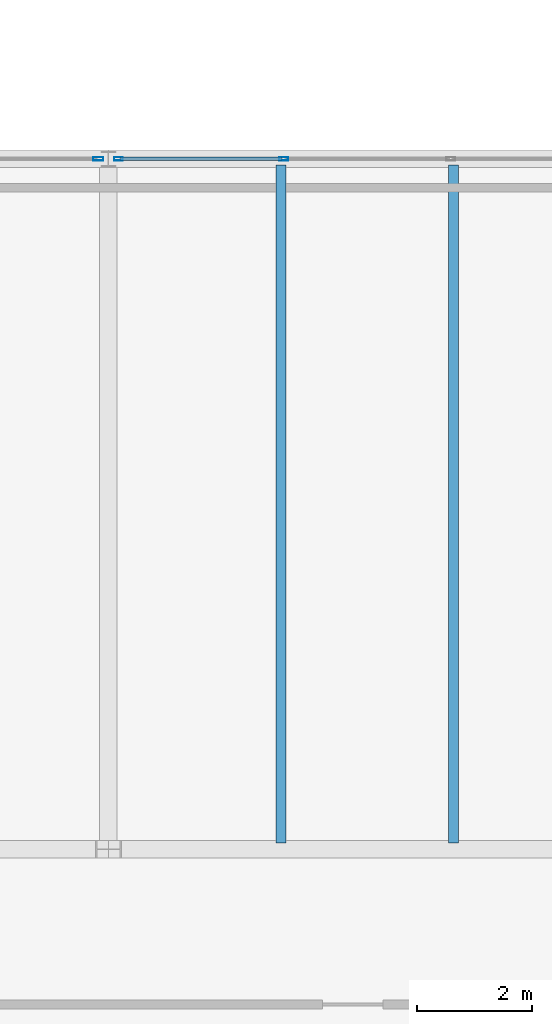
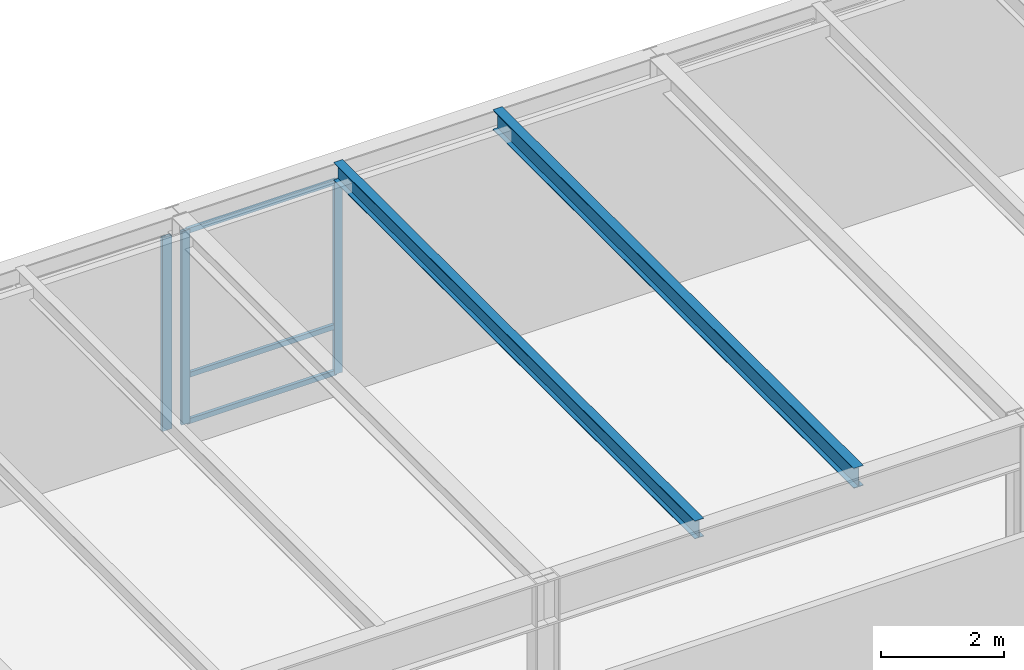
# One storey, part 19 of 142: 6 members, 2 beams, 2 elements without a shape of their own.
"""IFC4 building model written with IfcOpenShell, lengths in metres."""

from ifc_helpers import new_model, si_unit, direction, frame, origin, origin_2d, place, context, subcontext, project, spatial, hollow_rectangle, i_section, extrude, material, layer, layer_set, material_profile, profile_set, type_object, element, aggregate, save


model = new_model("IFC4")

# Units and contexts
model_context = context("Model", 3, precision=1e-05, world=origin(), true_north=direction((0.0, 1.0)))
body_context = subcontext(model_context, "Body", "Model", "MODEL_VIEW")
ifc_project = project(units=[si_unit("LENGTHUNIT", "METRE"), si_unit("AREAUNIT", "SQUARE_METRE"), si_unit("VOLUMEUNIT", "CUBIC_METRE"), si_unit("PLANEANGLEUNIT", "RADIAN"), si_unit("MASSUNIT", "GRAM", prefix="KILO")], contexts=[model_context])

# Site, building, storey
site_placement = place(None, origin())
site = spatial("IfcSite", under=ifc_project, at=site_placement, CompositionType="ELEMENT")
building_placement = place(site_placement, origin())
building = spatial("IfcBuilding", under=site, at=building_placement, Name="Montelvaro Courts of Justice", CompositionType="ELEMENT")
storey_placement = place(building_placement, frame((0.0, 0.0, 14.39990234375)))
storey = spatial("IfcBuildingStorey", under=building, at=storey_placement, Name="L03", CompositionType="ELEMENT", Elevation=14.39990234375)

# Beams
ifc_material_1 = material(Name="Steel S355", Category="steel")
ifc_material_profile_1 = material_profile(ifc_material_1, i_section(OverallWidth=0.169921875, OverallDepth=0.360107421875, WebThickness=0.008056640625, FlangeThickness=0.0126953125, at=origin_2d()), Name="IPE 360")
ifc_profile_set_1 = profile_set([ifc_material_profile_1], Name="Steel S355")
beam_type_1 = type_object("IfcBeamType", Name="Beam_IPE360", PredefinedType="BEAM", material=ifc_profile_set_1)
beam_1_placement = place(storey_placement, frame((30.0, 42.110107421875, 4.1201171875), z_axis=(0.0, 1.0, 0.0), x_axis=(-1.0, 0.0, 0.0)))
element("IfcBeam", 1, at=beam_1_placement, inside=storey, type_object=beam_type_1, Name="Beam B-07 L03", PredefinedType="BEAM", context=body_context, shape_type="SweptSolid", body=[
    extrude(i_section(OverallWidth=0.169921875, OverallDepth=0.360107421875, WebThickness=0.008056640625, FlangeThickness=0.0126953125, at=origin_2d()), origin(), (0.0, 0.0, 1.0), 11.77978515625),
])
ifc_material_profile_2 = material_profile(ifc_material_1, i_section(OverallWidth=0.179931640625, OverallDepth=0.39990234375, WebThickness=0.008544921875, FlangeThickness=0.013427734375, at=origin_2d()), Name="IPE 400")
ifc_profile_set_2 = profile_set([ifc_material_profile_2], Name="Steel S355")
beam_type_2 = type_object("IfcBeamType", Name="Beam_IPE400", PredefinedType="BEAM", material=ifc_profile_set_2)
beam_2_placement = place(storey_placement, frame((33.0, 42.110107421875, 4.10009765625), z_axis=(0.0, 1.0, 0.0), x_axis=(-1.0, 0.0, 0.0)))
element("IfcBeam", 2, at=beam_2_placement, inside=storey, type_object=beam_type_2, Name="Beam B-08 L03", PredefinedType="BEAM", context=body_context, shape_type="SweptSolid", body=[
    extrude(i_section(OverallWidth=0.179931640625, OverallDepth=0.39990234375, WebThickness=0.008544921875, FlangeThickness=0.013427734375, at=origin_2d()), origin(), (0.0, 0.0, 1.0), 11.77978515625),
])

# Curtain wall, members
ifc_material_2 = material(Name="Anodised aluminium EN AW-6063", Category="aluminium")
ifc_layer = layer(ifc_material_2, 0.159912109375)
ifc_layer_set = layer_set([ifc_layer], Name="Anodised aluminium EN AW-6063")
curtain_wall_type = type_object("IfcCurtainWallType", Name="CurtainWall_18_868x418", PredefinedType="USERDEFINED", material=ifc_layer_set)
curtain_wall_1_placement = place(storey_placement, origin())
curtain_wall_1 = element("IfcCurtainWall", 3, at=curtain_wall_1_placement, inside=storey, type_object=curtain_wall_type, Name="Curtain Wall CW-18 (L03)", ObjectType="CURTAIN WALL", PredefinedType="USERDEFINED")
ifc_material_profile_3 = material_profile(ifc_material_2, hollow_rectangle(XDim=0.06005859375, YDim=0.14990234375, WallThickness=0.00390625, at=origin_2d()), Name="ALU-M 60x150")
ifc_profile_set_3 = profile_set([ifc_material_profile_3], Name="Anodised aluminium EN AW-6063")
member_type_1 = type_object("IfcMemberType", Name="CurtainWall_Mullion_60x150", PredefinedType="MULLION", material=ifc_profile_set_3)
member_1_placement = place(storey_placement, frame((30.04833984375, 54.0, 0.0), z_axis=(0.0, 0.0, 1.0), x_axis=(0.0, -1.0, 0.0)))
member_1 = element("IfcMember", 4, at=member_1_placement, type_object=member_type_1, Name="CW-18 mullion 3", PredefinedType="MULLION", context=body_context, shape_type="SweptSolid", body=[
    extrude(hollow_rectangle(XDim=0.06005859375, YDim=0.14990234375, WallThickness=0.00390625, at=origin_2d()), origin(), (0.0, 0.0, 1.0), 3.85498046875),
])
member_2_placement = place(storey_placement, frame((27.175048828125, 54.0, 0.0), z_axis=(0.0, 0.0, 1.0), x_axis=(0.0, -1.0, 0.0)))
member_2 = element("IfcMember", 5, at=member_2_placement, type_object=member_type_1, Name="CW-18 mullion 4", PredefinedType="MULLION", context=body_context, shape_type="SweptSolid", body=[
    extrude(hollow_rectangle(XDim=0.06005859375, YDim=0.14990234375, WallThickness=0.00390625, at=origin_2d()), origin(), (0.0, 0.0, 1.0), 3.85498046875),
])

# Curtain wall, member
curtain_wall_2_placement = place(storey_placement, origin())
curtain_wall_2 = element("IfcCurtainWall", 6, at=curtain_wall_2_placement, inside=storey, type_object=curtain_wall_type, Name="Curtain Wall CW-18 (L03)", ObjectType="CURTAIN WALL", PredefinedType="USERDEFINED")
ifc_material_profile_4 = material_profile(ifc_material_2, hollow_rectangle(XDim=0.06005859375, YDim=0.179931640625, WallThickness=0.00439453125, at=origin_2d()), Name="ALU-M 60x180")
ifc_profile_set_4 = profile_set([ifc_material_profile_4], Name="Anodised aluminium EN AW-6063")
member_type_2 = type_object("IfcMemberType", Name="CurtainWall_Mullion_60x180", PredefinedType="MULLION", material=ifc_profile_set_4)
member_3_placement = place(storey_placement, frame((26.824951171875, 54.0, 0.0), z_axis=(0.0, 0.0, 1.0), x_axis=(0.0, -1.0, 0.0)))
member_3 = element("IfcMember", 7, at=member_3_placement, type_object=member_type_2, Name="CW-18 mullion 1", PredefinedType="MULLION", context=body_context, shape_type="SweptSolid", body=[
    extrude(hollow_rectangle(XDim=0.06005859375, YDim=0.179931640625, WallThickness=0.00439453125, at=origin_2d()), origin(), (0.0, 0.0, 1.0), 3.85498046875),
])
aggregate(curtain_wall_2, [member_3])

# Member
ifc_material_profile_5 = material_profile(ifc_material_2, hollow_rectangle(XDim=0.06005859375, YDim=0.10009765625, WallThickness=0.00341796875, at=origin_2d()), Name="ALU-T 60x100")
ifc_profile_set_5 = profile_set([ifc_material_profile_5], Name="Anodised aluminium EN AW-6063")
member_type_3 = type_object("IfcMemberType", Name="CurtainWall_Transom_60x100", PredefinedType="USERDEFINED", material=ifc_profile_set_5)
member_4_placement = place(storey_placement, frame((30.018310546875, 54.0, 0.030029296875), z_axis=(-1.0, 0.0, 0.0), x_axis=(0.0, -1.0, 0.0)))
member_4 = element("IfcMember", 8, at=member_4_placement, type_object=member_type_3, Name="CW-18 transom 3.1", ObjectType="TRANSOM", PredefinedType="USERDEFINED", context=body_context, shape_type="SweptSolid", body=[
    extrude(hollow_rectangle(XDim=0.06005859375, YDim=0.10009765625, WallThickness=0.00341796875, at=origin_2d()), origin(), (0.0, 0.0, 1.0), 2.813232421875),
])

member_5_placement = place(storey_placement, frame((30.018310546875, 54.0, 0.9501953125), z_axis=(-1.0, 0.0, 0.0), x_axis=(0.0, -1.0, 0.0)))
member_5 = element("IfcMember", 9, at=member_5_placement, type_object=member_type_3, Name="CW-18 transom 3.2", ObjectType="TRANSOM", PredefinedType="USERDEFINED", context=body_context, shape_type="SweptSolid", body=[
    extrude(hollow_rectangle(XDim=0.06005859375, YDim=0.10009765625, WallThickness=0.00341796875, at=origin_2d()), origin(), (0.0, 0.0, 1.0), 2.813232421875),
])

member_6_placement = place(storey_placement, frame((30.018310546875, 54.0, 3.8251953125), z_axis=(-1.0, 0.0, 0.0), x_axis=(0.0, -1.0, 0.0)))
member_6 = element("IfcMember", 10, at=member_6_placement, type_object=member_type_3, Name="CW-18 transom 3.3", ObjectType="TRANSOM", PredefinedType="USERDEFINED", context=body_context, shape_type="SweptSolid", body=[
    extrude(hollow_rectangle(XDim=0.06005859375, YDim=0.10009765625, WallThickness=0.00341796875, at=origin_2d()), origin(), (0.0, 0.0, 1.0), 2.813232421875),
])

aggregate(curtain_wall_1, [member_1, member_2, member_4, member_5, member_6])

save(model, "model.ifc")
